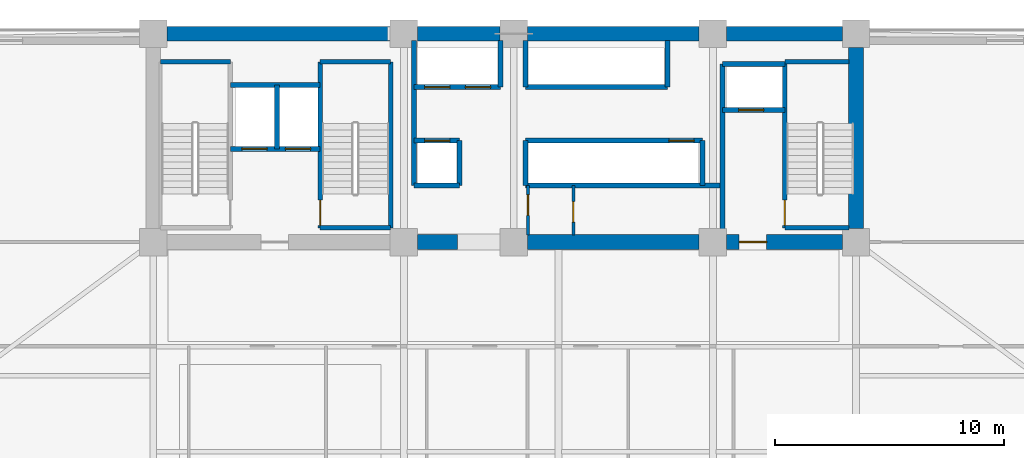
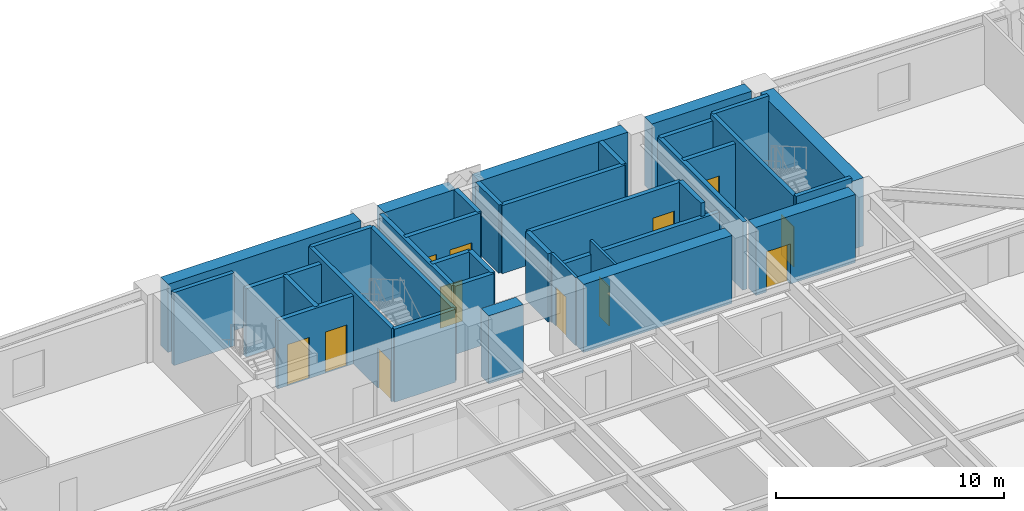
# One storey, part 11 of 18: 37 walls, 12 doors, 12 openings.
"""IFC4 building model written with IfcOpenShell, lengths in metres."""

from ifc_helpers import new_model, si_unit, direction, frame, frame_2d, origin, place, context, subcontext, project, spatial, rectangle, extrude, source, transform, mapped, material, layer, layer_set, type_object, element, fill, save


model = new_model("IFC4")

# Units and contexts
model_context = context("Model", 3, precision=1e-05, world=origin(), true_north=direction((0.0, 1.0)))
body_context = subcontext(model_context, "Body", "Model", "MODEL_VIEW")
ifc_project = project(units=[si_unit("LENGTHUNIT", "METRE"), si_unit("AREAUNIT", "SQUARE_METRE"), si_unit("VOLUMEUNIT", "CUBIC_METRE"), si_unit("PLANEANGLEUNIT", "RADIAN"), si_unit("MASSUNIT", "GRAM", prefix="KILO")], contexts=[model_context])

# Site, building, storey
site_placement = place(None, origin())
site = spatial("IfcSite", under=ifc_project, at=site_placement, CompositionType="ELEMENT")
building_placement = place(site_placement, origin())
building = spatial("IfcBuilding", under=site, at=building_placement, Name="Giltprow Tower", CompositionType="ELEMENT")
storey_placement = place(building_placement, frame((0.0, 0.0, 68.89990234375)))
storey = spatial("IfcBuildingStorey", under=building, at=storey_placement, Name="L17", CompositionType="ELEMENT", Elevation=68.89990234375)

# Wall, openings, doors
ifc_material_1 = material(Name="Concrete C40", Category="concrete")
ifc_layer_1 = layer(ifc_material_1, 0.219970703125, Name="Concrete C40")
ifc_layer_set_1 = layer_set([ifc_layer_1], Name="Concrete C40")
wall_type_1 = type_object("IfcWallType", Name="IW-SHAFT-220", PredefinedType="SOLIDWALL", material=ifc_layer_set_1)
wall_1_placement = place(storey_placement, frame((23.219970703125, 41.52001953125, 0.0), z_axis=(0.0, 0.0, 1.0), x_axis=(1.0, 0.0, 0.0)))
wall_1 = element("IfcWall", 1, at=wall_1_placement, inside=storey, type_object=wall_type_1, Name="L17 FFL1 and Service Lift Front Wall", PredefinedType="SOLIDWALL", context=body_context, shape_type="SweptSolid", body=[
    extrude(rectangle(XDim=3.919921875, YDim=0.219970703125, at=frame_2d((1.9599609375, 0.0))), origin(), (0.0, 0.0, 1.0), 3.64013671875),
])
opening_1_placement = place(wall_1_placement, frame((0.5, 0.0, 0.0)))
opening_1 = element("IfcOpeningElement", 2, at=opening_1_placement, cuts=wall_1, Name="Opening LD-11", PredefinedType="OPENING", context=body_context, shape_type="SweptSolid", body=[
    extrude(rectangle(XDim=1.10009765625, YDim=2.199951171875, at=frame_2d((0.550048828125, 1.10009765625))), frame((0.0, 0.119873046875, 0.0), z_axis=(0.0, -1.0, 0.0), x_axis=(1.0, 0.0, 0.0)), (0.0, 0.0, 1.0), 0.239990234375),
])
opening_2_placement = place(wall_1_placement, frame((2.39990234375, 0.0, 0.0)))
opening_2 = element("IfcOpeningElement", 3, at=opening_2_placement, cuts=wall_1, Name="Opening LD-11", PredefinedType="OPENING", context=body_context, shape_type="SweptSolid", body=[
    extrude(rectangle(XDim=1.10009765625, YDim=2.199951171875, at=frame_2d((0.550048828125, 1.10009765625))), frame((0.0, 0.119873046875, 0.0), z_axis=(0.0, -1.0, 0.0), x_axis=(1.0, 0.0, 0.0)), (0.0, 0.0, 1.0), 0.239990234375),
])
ifc_material_2 = material(Name="Stainless steel", Category="steel")
door_type_1 = type_object("IfcDoorType", Name="DR-LIFT-LD1100", OperationType="SLIDING_TO_LEFT", PredefinedType="DOOR", material=ifc_material_2)
shared_shape_1 = source(origin(), body_context, "Body", "SweptSolid", [
    extrude(rectangle(XDim=1.10009765625, YDim=2.199951171875, at=frame_2d((0.550048828125, 1.10009765625))), frame((0.0, 0.02490234375, 0.0), z_axis=(0.0, -1.0, 0.0), x_axis=(1.0, 0.0, 0.0)), (0.0, 0.0, 1.0), 0.050048828125),
])
door_1_placement = place(opening_1_placement, origin())
door_1 = element("IfcDoor", 4, at=door_1_placement, inside=storey, type_object=door_type_1, Name="L17 FFL1 Landing Door", OperationType="SLIDING_TO_LEFT", OverallHeight=2.199951171875, OverallWidth=1.10009765625, PredefinedType="DOOR", context=body_context, shape_type="MappedRepresentation", body=[
    mapped(shared_shape_1, transform((0.0, 0.0, 0.0), x_axis=(1.0, 0.0, 0.0), y_axis=(0.0, 1.0, 0.0), z_axis=(0.0, 0.0, 1.0), scale=1.0)),
])
fill(opening_1, door_1)
door_2_placement = place(opening_2_placement, origin())
door_2 = element("IfcDoor", 5, at=door_2_placement, inside=storey, type_object=door_type_1, Name="L17 SVL1 Landing Door", OperationType="SLIDING_TO_LEFT", OverallHeight=2.199951171875, OverallWidth=1.10009765625, PredefinedType="DOOR", context=body_context, shape_type="MappedRepresentation", body=[
    mapped(shared_shape_1, transform((0.0, 0.0, 0.0), x_axis=(1.0, 0.0, 0.0), y_axis=(0.0, 1.0, 0.0), z_axis=(0.0, 0.0, 1.0), scale=1.0)),
])
fill(opening_2, door_2)

# Walls
wall_2_placement = place(storey_placement, frame((25.260009765625, 41.52001953125, 0.0), z_axis=(0.0, 0.0, 1.0), x_axis=(0.0, 1.0, 0.0)))
element("IfcWall", 6, at=wall_2_placement, inside=storey, type_object=wall_type_1, Name="L17 FFL1-SVL1 Shaft Divider", PredefinedType="SOLIDWALL", context=body_context, shape_type="SweptSolid", body=[
    extrude(rectangle(XDim=2.800048828125, YDim=0.219970703125, at=frame_2d((1.39990234375, 0.0))), origin(), (0.0, 0.0, 1.0), 3.64013671875),
])
wall_3_placement = place(storey_placement, frame((23.219970703125, 44.320068359375, 0.0), z_axis=(0.0, 0.0, 1.0), x_axis=(1.0, 0.0, 0.0)))
element("IfcWall", 7, at=wall_3_placement, inside=storey, type_object=wall_type_1, Name="L17 FFL1-SVL1 Back Shaft Wall", PredefinedType="SOLIDWALL", context=body_context, shape_type="SweptSolid", body=[
    extrude(rectangle(XDim=3.919921875, YDim=0.219970703125, at=frame_2d((1.9599609375, 0.0))), origin(), (0.0, 0.0, 1.0), 3.64013671875),
])

# Wall, opening, door
wall_4_placement = place(storey_placement, frame((44.719970703125, 43.219970703125, 0.0), z_axis=(0.0, 0.0, 1.0), x_axis=(1.0, 0.0, 0.0)))
wall_4 = element("IfcWall", 8, at=wall_4_placement, inside=storey, type_object=wall_type_1, Name="L17 FFL2 Front Shaft Wall", PredefinedType="SOLIDWALL", context=body_context, shape_type="SweptSolid", body=[
    extrude(rectangle(XDim=2.719970703125, YDim=0.219970703125, at=frame_2d((1.35986328125, 0.0))), origin(), (0.0, 0.0, 1.0), 3.64013671875),
])
opening_3_placement = place(wall_4_placement, frame((0.699951171875, 0.0, 0.0)))
opening_3 = element("IfcOpeningElement", 9, at=opening_3_placement, cuts=wall_4, Name="Opening LD-11", PredefinedType="OPENING", context=body_context, shape_type="SweptSolid", body=[
    extrude(rectangle(XDim=1.10009765625, YDim=2.199951171875, at=frame_2d((0.550048828125, 1.10009765625))), frame((0.0, 0.119873046875, 0.0), z_axis=(0.0, -1.0, 0.0), x_axis=(1.0, 0.0, 0.0)), (0.0, 0.0, 1.0), 0.239990234375),
])
door_3_placement = place(opening_3_placement, origin())
door_3 = element("IfcDoor", 10, at=door_3_placement, inside=storey, type_object=door_type_1, Name="L17 FFL2 Landing Door", OperationType="SLIDING_TO_LEFT", OverallHeight=2.199951171875, OverallWidth=1.10009765625, PredefinedType="DOOR", context=body_context, shape_type="MappedRepresentation", body=[
    mapped(shared_shape_1, transform((0.0, 0.0, 0.0), x_axis=(1.0, 0.0, 0.0), y_axis=(0.0, 1.0, 0.0), z_axis=(0.0, 0.0, 1.0), scale=1.0)),
])
fill(opening_3, door_3)

# Walls
wall_5_placement = place(storey_placement, frame((44.719970703125, 45.219970703125, 0.0), z_axis=(0.0, 0.0, 1.0), x_axis=(1.0, 0.0, 0.0)))
element("IfcWall", 11, at=wall_5_placement, inside=storey, type_object=wall_type_1, Name="L17 FFL2 Back Shaft Wall", PredefinedType="SOLIDWALL", context=body_context, shape_type="SweptSolid", body=[
    extrude(rectangle(XDim=2.719970703125, YDim=0.219970703125, at=frame_2d((1.35986328125, 0.0))), origin(), (0.0, 0.0, 1.0), 3.64013671875),
])
wall_6_placement = place(storey_placement, frame((44.719970703125, 37.7548828125, 0.0), z_axis=(0.0, 0.0, 1.0), x_axis=(0.0, 1.0, 0.0)))
element("IfcWall", 12, at=wall_6_placement, inside=storey, type_object=wall_type_1, Name="L17 East Firefighting Lobby West Wall", PredefinedType="SOLIDWALL", context=body_context, shape_type="SweptSolid", body=[
    extrude(rectangle(XDim=7.465087890625, YDim=0.219970703125, at=frame_2d((3.732421875, 0.0))), origin(), (0.0, 0.0, 1.0), 3.64013671875),
])

# Wall, openings, doors
wall_7_placement = place(storey_placement, frame((31.25, 44.219970703125, 0.0), z_axis=(0.0, 0.0, 1.0), x_axis=(1.0, 0.0, 0.0)))
wall_7 = element("IfcWall", 13, at=wall_7_placement, inside=storey, type_object=wall_type_1, Name="L17 North West Lift Shaft Front Wall", PredefinedType="SOLIDWALL", context=body_context, shape_type="SweptSolid", body=[
    extrude(rectangle(XDim=3.77001953125, YDim=0.219970703125, at=frame_2d((1.885009765625, 0.0))), origin(), (0.0, 0.0, 1.0), 3.64013671875),
])
opening_4_placement = place(wall_7_placement, frame((0.4599609375, 0.0, 0.0)))
opening_4 = element("IfcOpeningElement", 14, at=opening_4_placement, cuts=wall_7, Name="Opening LD-11", PredefinedType="OPENING", context=body_context, shape_type="SweptSolid", body=[
    extrude(rectangle(XDim=1.10009765625, YDim=2.199951171875, at=frame_2d((0.550048828125, 1.10009765625))), frame((0.0, 0.119873046875, 0.0), z_axis=(0.0, -1.0, 0.0), x_axis=(1.0, 0.0, 0.0)), (0.0, 0.0, 1.0), 0.239990234375),
])
opening_5_placement = place(wall_7_placement, frame((2.239990234375, 0.0, 0.0)))
opening_5 = element("IfcOpeningElement", 15, at=opening_5_placement, cuts=wall_7, Name="Opening LD-11", PredefinedType="OPENING", context=body_context, shape_type="SweptSolid", body=[
    extrude(rectangle(XDim=1.10009765625, YDim=2.199951171875, at=frame_2d((0.550048828125, 1.10009765625))), frame((0.0, 0.119873046875, 0.0), z_axis=(0.0, -1.0, 0.0), x_axis=(1.0, 0.0, 0.0)), (0.0, 0.0, 1.0), 0.239990234375),
])
door_4_placement = place(opening_4_placement, origin())
door_4 = element("IfcDoor", 16, at=door_4_placement, inside=storey, type_object=door_type_1, Name="L17 PL-L1 Landing Door", OperationType="SLIDING_TO_LEFT", OverallHeight=2.199951171875, OverallWidth=1.10009765625, PredefinedType="DOOR", context=body_context, shape_type="MappedRepresentation", body=[
    mapped(shared_shape_1, transform((0.0, 0.0, 0.0), x_axis=(1.0, 0.0, 0.0), y_axis=(0.0, 1.0, 0.0), z_axis=(0.0, 0.0, 1.0), scale=1.0)),
])
fill(opening_4, door_4)
door_5_placement = place(opening_5_placement, origin())
door_5 = element("IfcDoor", 17, at=door_5_placement, inside=storey, type_object=door_type_1, Name="L17 PL-L2 Landing Door", OperationType="SLIDING_TO_LEFT", OverallHeight=2.199951171875, OverallWidth=1.10009765625, PredefinedType="DOOR", context=body_context, shape_type="MappedRepresentation", body=[
    mapped(shared_shape_1, transform((0.0, 0.0, 0.0), x_axis=(1.0, 0.0, 0.0), y_axis=(0.0, 1.0, 0.0), z_axis=(0.0, 0.0, 1.0), scale=1.0)),
])
fill(opening_5, door_5)

# Walls
wall_8_placement = place(storey_placement, frame((36.1201171875, 44.219970703125, 0.0), z_axis=(0.0, 0.0, 1.0), x_axis=(1.0, 0.0, 0.0)))
element("IfcWall", 18, at=wall_8_placement, inside=storey, type_object=wall_type_1, Name="L17 North East Lift Shaft Front Wall", PredefinedType="SOLIDWALL", context=body_context, shape_type="SweptSolid", body=[
    extrude(rectangle(XDim=6.199951171875, YDim=0.219970703125, at=frame_2d((3.10009765625, 0.0))), origin(), (0.0, 0.0, 1.0), 3.64013671875),
])
for number, where, z_axis, x_axis, name in (
    (19, (35.02001953125, 44.219970703125, 0.0), (0.0, 0.0, 1.0), (0.0, 1.0, 0.0), "L17 North West Lift Shaft East Closure"),
    (20, (36.1201171875, 44.219970703125, 0.0), (0.0, 0.0, 1.0), (0.0, 1.0, 0.0), "L17 North East Lift Shaft West Closure"),
    (21, (42.320068359375, 44.219970703125, 0.0), (0.0, 0.0, 1.0), (0.0, 1.0, 0.0), "L17 North East Lift Shaft East Closure"),
):
    element("IfcWall", number, at=place(storey_placement, frame(where, z_axis=z_axis, x_axis=x_axis)), inside=storey, type_object=wall_type_1, Name=name, PredefinedType="SOLIDWALL", context=body_context, shape_type="SweptSolid", body=[
        extrude(rectangle(XDim=2.025146484375, YDim=0.219970703125, at=frame_2d((1.0126953125, 0.0))), origin(), (0.0, 0.0, 1.0), 3.64013671875),
    ])

# Wall, opening, door
wall_9_placement = place(storey_placement, frame((31.25, 41.8798828125, 0.0), z_axis=(0.0, 0.0, 1.0), x_axis=(1.0, 0.0, 0.0)))
wall_9 = element("IfcWall", 22, at=wall_9_placement, inside=storey, type_object=wall_type_1, Name="L17 South West Lift Shaft Front Wall", PredefinedType="SOLIDWALL", context=body_context, shape_type="SweptSolid", body=[
    extrude(rectangle(XDim=1.969970703125, YDim=0.219970703125, at=frame_2d((0.98486328125, 0.0))), origin(), (0.0, 0.0, 1.0), 3.64013671875),
])
opening_6_placement = place(wall_9_placement, frame((0.4599609375, 0.0, 0.0)))
opening_6 = element("IfcOpeningElement", 23, at=opening_6_placement, cuts=wall_9, Name="Opening LD-11", PredefinedType="OPENING", context=body_context, shape_type="SweptSolid", body=[
    extrude(rectangle(XDim=1.10009765625, YDim=2.199951171875, at=frame_2d((0.550048828125, 1.10009765625))), frame((0.0, 0.119873046875, 0.0), z_axis=(0.0, -1.0, 0.0), x_axis=(1.0, 0.0, 0.0)), (0.0, 0.0, 1.0), 0.239990234375),
])
door_6_placement = place(opening_6_placement, origin())
door_6 = element("IfcDoor", 24, at=door_6_placement, inside=storey, type_object=door_type_1, Name="L17 PL-L3 Landing Door", OperationType="SLIDING_TO_LEFT", OverallHeight=2.199951171875, OverallWidth=1.10009765625, PredefinedType="DOOR", context=body_context, shape_type="MappedRepresentation", body=[
    mapped(shared_shape_1, transform((0.0, 0.0, 0.0), x_axis=(1.0, 0.0, 0.0), y_axis=(0.0, 1.0, 0.0), z_axis=(0.0, 0.0, 1.0), scale=1.0)),
])
fill(opening_6, door_6)

wall_10_placement = place(storey_placement, frame((36.1201171875, 41.8798828125, 0.0), z_axis=(0.0, 0.0, 1.0), x_axis=(1.0, 0.0, 0.0)))
wall_10 = element("IfcWall", 25, at=wall_10_placement, inside=storey, type_object=wall_type_1, Name="L17 South East Lift Shaft Front Wall", PredefinedType="SOLIDWALL", context=body_context, shape_type="SweptSolid", body=[
    extrude(rectangle(XDim=7.72998046875, YDim=0.219970703125, at=frame_2d((3.864990234375, 0.0))), origin(), (0.0, 0.0, 1.0), 3.64013671875),
])
opening_7_placement = place(wall_10_placement, frame((6.260009765625, 0.0, 0.0)))
opening_7 = element("IfcOpeningElement", 26, at=opening_7_placement, cuts=wall_10, Name="Opening LD-11", PredefinedType="OPENING", context=body_context, shape_type="SweptSolid", body=[
    extrude(rectangle(XDim=1.10009765625, YDim=2.199951171875, at=frame_2d((0.550048828125, 1.10009765625))), frame((0.0, 0.119873046875, 0.0), z_axis=(0.0, -1.0, 0.0), x_axis=(1.0, 0.0, 0.0)), (0.0, 0.0, 1.0), 0.239990234375),
])
door_7_placement = place(opening_7_placement, origin())
door_7 = element("IfcDoor", 27, at=door_7_placement, inside=storey, type_object=door_type_1, Name="L17 PL-L4 Landing Door", OperationType="SLIDING_TO_LEFT", OverallHeight=2.199951171875, OverallWidth=1.10009765625, PredefinedType="DOOR", context=body_context, shape_type="MappedRepresentation", body=[
    mapped(shared_shape_1, transform((0.0, 0.0, 0.0), x_axis=(1.0, 0.0, 0.0), y_axis=(0.0, 1.0, 0.0), z_axis=(0.0, 0.0, 1.0), scale=1.0)),
])
fill(opening_7, door_7)

# Walls
wall_11_placement = place(storey_placement, frame((31.25, 39.919921875, 0.0), z_axis=(0.0, 0.0, 1.0), x_axis=(1.0, 0.0, 0.0)))
element("IfcWall", 28, at=wall_11_placement, inside=storey, type_object=wall_type_1, Name="L17 Low-Rise South Lift Back Wall", PredefinedType="SOLIDWALL", context=body_context, shape_type="SweptSolid", body=[
    extrude(rectangle(XDim=1.969970703125, YDim=0.219970703125, at=frame_2d((0.98486328125, 0.0))), origin(), (0.0, 0.0, 1.0), 3.64013671875),
])
wall_12_placement = place(storey_placement, frame((33.219970703125, 39.919921875, 0.0), z_axis=(0.0, 0.0, 1.0), x_axis=(0.0, 1.0, 0.0)))
element("IfcWall", 29, at=wall_12_placement, inside=storey, type_object=wall_type_1, Name="L17 Low-Rise South Lift East Closure", PredefinedType="SOLIDWALL", context=body_context, shape_type="SweptSolid", body=[
    extrude(rectangle(XDim=1.9599609375, YDim=0.219970703125, at=frame_2d((0.97998046875, 0.0))), origin(), (0.0, 0.0, 1.0), 3.64013671875),
])
wall_13_placement = place(storey_placement, frame((36.1201171875, 39.919921875, 0.0), z_axis=(0.0, 0.0, 1.0), x_axis=(1.0, 0.0, 0.0)))
element("IfcWall", 30, at=wall_13_placement, inside=storey, type_object=wall_type_1, Name="L17 Express South Shaft Back Wall", PredefinedType="SOLIDWALL", context=body_context, shape_type="SweptSolid", body=[
    extrude(rectangle(XDim=8.599853515625, YDim=0.219970703125, at=frame_2d((4.2998046875, 0.0))), origin(), (0.0, 0.0, 1.0), 2.925048828125),
])
wall_14_placement = place(storey_placement, frame((36.1201171875, 39.919921875, 0.0), z_axis=(0.0, 0.0, 1.0), x_axis=(0.0, 1.0, 0.0)))
element("IfcWall", 31, at=wall_14_placement, inside=storey, type_object=wall_type_1, Name="L17 Express South Shaft West Closure", PredefinedType="SOLIDWALL", context=body_context, shape_type="SweptSolid", body=[
    extrude(rectangle(XDim=1.9599609375, YDim=0.219970703125, at=frame_2d((0.97998046875, 0.0))), origin(), (0.0, 0.0, 1.0), 3.64013671875),
])
wall_15_placement = place(storey_placement, frame((31.25, 39.919921875, 0.0), z_axis=(0.0, 0.0, 1.0), x_axis=(0.0, 1.0, 0.0)))
element("IfcWall", 32, at=wall_15_placement, inside=storey, type_object=wall_type_1, Name="L17 Lift Bank West Closure", PredefinedType="SOLIDWALL", context=body_context, shape_type="SweptSolid", body=[
    extrude(rectangle(XDim=6.3251953125, YDim=0.219970703125, at=frame_2d((3.16259765625, 0.0))), origin(), (0.0, 0.0, 1.0), 3.64013671875),
])
wall_16_placement = place(storey_placement, frame((43.85009765625, 39.919921875, 0.0), z_axis=(0.0, 0.0, 1.0), x_axis=(0.0, 1.0, 0.0)))
element("IfcWall", 33, at=wall_16_placement, inside=storey, type_object=wall_type_1, Name="L17 Lift Bank South-East Closure", PredefinedType="SOLIDWALL", context=body_context, shape_type="SweptSolid", body=[
    extrude(rectangle(XDim=1.9599609375, YDim=0.219970703125, at=frame_2d((0.97998046875, 0.0))), origin(), (0.0, 0.0, 1.0), 3.64013671875),
])
ifc_layer_2 = layer(ifc_material_1, 0.199951171875, Name="Concrete C40")
ifc_layer_set_2 = layer_set([ifc_layer_2], Name="Concrete C40")
wall_type_2 = type_object("IfcWallType", Name="IW-STAIR-200", PredefinedType="SOLIDWALL", material=ifc_layer_set_2)
wall_17_placement = place(storey_placement, frame((20.169921875, 45.320068359375, 0.0), z_axis=(0.0, 0.0, 1.0), x_axis=(1.0, 0.0, 0.0)))
element("IfcWall", 34, at=wall_17_placement, inside=storey, type_object=wall_type_2, Name="L17 Stair ST-1 North Bearing Wall", PredefinedType="SOLIDWALL", context=body_context, shape_type="SweptSolid", body=[
    extrude(rectangle(XDim=3.050048828125, YDim=0.199951171875, at=frame_2d((1.52490234375, 0.0))), origin(), (0.0, 0.0, 1.0), 3.900146484375),
])

# Wall, opening, door
wall_18_placement = place(storey_placement, frame((27.139892578125, 38.070068359375, 0.0), z_axis=(0.0, 0.0, 1.0), x_axis=(0.0, 1.0, 0.0)))
wall_18 = element("IfcWall", 35, at=wall_18_placement, inside=storey, type_object=wall_type_2, Name="L17 Stair ST-2 West Bearing Wall", PredefinedType="SOLIDWALL", context=body_context, shape_type="SweptSolid", body=[
    extrude(rectangle(XDim=7.25, YDim=0.199951171875, at=frame_2d((3.625, 0.0))), origin(), (0.0, 0.0, 1.0), 3.900146484375),
])
opening_8_placement = place(wall_18_placement, frame((0.110107421875, 0.0, 0.0)))
opening_8 = element("IfcOpeningElement", 36, at=opening_8_placement, cuts=wall_18, Name="Opening ID33", PredefinedType="OPENING", context=body_context, shape_type="SweptSolid", body=[
    extrude(rectangle(XDim=1.10009765625, YDim=2.14990234375, at=frame_2d((0.550048828125, 1.074951171875))), frame((0.0, 0.10986328125, 0.0), z_axis=(0.0, -1.0, 0.0), x_axis=(1.0, 0.0, 0.0)), (0.0, 0.0, 1.0), 0.219970703125),
])
ifc_material_3 = material(Name="Steel fire leaf", Category="steel")
door_type_2 = type_object("IfcDoorType", Name="DR-STAIR-1100", OperationType="SINGLE_SWING_LEFT", PredefinedType="DOOR", material=ifc_material_3)
shared_shape_2 = source(origin(), body_context, "Body", "SweptSolid", [
    extrude(rectangle(XDim=1.10009765625, YDim=2.14990234375, at=frame_2d((0.550048828125, 1.074951171875))), frame((0.0, 0.02490234375, 0.0), z_axis=(0.0, -1.0, 0.0), x_axis=(1.0, 0.0, 0.0)), (0.0, 0.0, 1.0), 0.050048828125),
])
door_8_placement = place(opening_8_placement, origin())
door_8 = element("IfcDoor", 37, at=door_8_placement, inside=storey, type_object=door_type_2, Name="L17 Stair ST-2 Fire Door", OperationType="SINGLE_SWING_LEFT", OverallHeight=2.14990234375, OverallWidth=1.10009765625, PredefinedType="DOOR", context=body_context, shape_type="MappedRepresentation", body=[
    mapped(shared_shape_2, transform((0.0, 0.0, 0.0), x_axis=(1.0, 0.0, 0.0), y_axis=(0.0, 1.0, 0.0), z_axis=(0.0, 0.0, 1.0), scale=1.0)),
])
fill(opening_8, door_8)

# Walls
wall_19_placement = place(storey_placement, frame((30.219970703125, 38.070068359375, 0.0), z_axis=(0.0, 0.0, 1.0), x_axis=(0.0, 1.0, 0.0)))
element("IfcWall", 38, at=wall_19_placement, inside=storey, type_object=wall_type_2, Name="L17 Stair ST-2 East Bearing Wall", PredefinedType="SOLIDWALL", context=body_context, shape_type="SweptSolid", body=[
    extrude(rectangle(XDim=7.25, YDim=0.199951171875, at=frame_2d((3.625, 0.0))), origin(), (0.0, 0.0, 1.0), 3.900146484375),
])
for number, where, z_axis, x_axis, name in (
    (39, (27.139892578125, 45.320068359375, 0.0), (0.0, 0.0, 1.0), (1.0, 0.0, 0.0), "L17 Stair ST-2 North Bearing Wall"),
    (40, (27.139892578125, 38.070068359375, 0.0), (0.0, 0.0, 1.0), (1.0, 0.0, 0.0), "L17 Stair ST-2 South Bearing Wall"),
):
    element("IfcWall", number, at=place(storey_placement, frame(where, z_axis=z_axis, x_axis=x_axis)), inside=storey, type_object=wall_type_2, Name=name, PredefinedType="SOLIDWALL", context=body_context, shape_type="SweptSolid", body=[
        extrude(rectangle(XDim=3.080078125, YDim=0.199951171875, at=frame_2d((1.5400390625, 0.0))), origin(), (0.0, 0.0, 1.0), 3.900146484375),
    ])

# Wall, opening, door
wall_20_placement = place(storey_placement, frame((47.43994140625, 38.070068359375, 0.0), z_axis=(0.0, 0.0, 1.0), x_axis=(0.0, 1.0, 0.0)))
wall_20 = element("IfcWall", 41, at=wall_20_placement, inside=storey, type_object=wall_type_2, Name="L17 Stair ST-3 West Bearing Wall", PredefinedType="SOLIDWALL", context=body_context, shape_type="SweptSolid", body=[
    extrude(rectangle(XDim=7.25, YDim=0.199951171875, at=frame_2d((3.625, 0.0))), origin(), (0.0, 0.0, 1.0), 3.900146484375),
])
opening_9_placement = place(wall_20_placement, frame((0.110107421875, 0.0, 0.0)))
opening_9 = element("IfcOpeningElement", 42, at=opening_9_placement, cuts=wall_20, Name="Opening ID33", PredefinedType="OPENING", context=body_context, shape_type="SweptSolid", body=[
    extrude(rectangle(XDim=1.10009765625, YDim=2.14990234375, at=frame_2d((0.550048828125, 1.074951171875))), frame((0.0, 0.10986328125, 0.0), z_axis=(0.0, -1.0, 0.0), x_axis=(1.0, 0.0, 0.0)), (0.0, 0.0, 1.0), 0.219970703125),
])
door_9_placement = place(opening_9_placement, origin())
door_9 = element("IfcDoor", 43, at=door_9_placement, inside=storey, type_object=door_type_2, Name="L17 Stair ST-3 Fire Door", OperationType="SINGLE_SWING_RIGHT", OverallHeight=2.14990234375, OverallWidth=1.10009765625, PredefinedType="DOOR", context=body_context, shape_type="MappedRepresentation", body=[
    mapped(shared_shape_2, transform((0.0, 0.0, 0.0), x_axis=(1.0, 0.0, 0.0), y_axis=(0.0, 1.0, 0.0), z_axis=(0.0, 0.0, 1.0), scale=1.0)),
])
fill(opening_9, door_9)

# Walls
for number, where, z_axis, x_axis, name in (
    (44, (47.43994140625, 45.320068359375, 0.0), (0.0, 0.0, 1.0), (1.0, 0.0, 0.0), "L17 Stair ST-3 North Bearing Wall"),
    (45, (47.43994140625, 38.070068359375, 0.0), (0.0, 0.0, 1.0), (1.0, 0.0, 0.0), "L17 Stair ST-3 South Bearing Wall"),
):
    element("IfcWall", number, at=place(storey_placement, frame(where, z_axis=z_axis, x_axis=x_axis)), inside=storey, type_object=wall_type_2, Name=name, PredefinedType="SOLIDWALL", context=body_context, shape_type="SweptSolid", body=[
        extrude(rectangle(XDim=2.80517578125, YDim=0.199951171875, at=frame_2d((1.402587890625, 0.0))), origin(), (0.0, 0.0, 1.0), 3.900146484375),
    ])

# Wall, opening, door
ifc_material_4 = material(Name="Concrete C30", Category="concrete")
ifc_layer_3 = layer(ifc_material_4, 0.1298828125, Name="Concrete C30")
ifc_layer_set_3 = layer_set([ifc_layer_3], Name="Concrete C30")
wall_type_3 = type_object("IfcWallType", Name="IW-WET-130", PredefinedType="PARTITIONING", material=ifc_layer_set_3)
wall_21_placement = place(storey_placement, frame((36.219970703125, 37.7548828125, 0.0), z_axis=(0.0, 0.0, 1.0), x_axis=(0.0, 1.0, 0.0)))
wall_21 = element("IfcWall", 46, at=wall_21_placement, inside=storey, type_object=wall_type_3, Name="L17 Core Suite West Wall", PredefinedType="PARTITIONING", context=body_context, shape_type="SweptSolid", body=[
    extrude(rectangle(XDim=2.1650390625, YDim=0.1298828125, at=frame_2d((1.08251953125, 0.0))), origin(), (0.0, 0.0, 1.0), 3.64013671875),
])
opening_10_placement = place(wall_21_placement, frame((0.85498046875, 0.0, 0.0)))
opening_10 = element("IfcOpeningElement", 47, at=opening_10_placement, cuts=wall_21, Name="Opening ID35", PredefinedType="OPENING", context=body_context, shape_type="SweptSolid", body=[
    extrude(rectangle(XDim=0.89990234375, YDim=2.10009765625, at=frame_2d((0.449951171875, 1.050048828125))), frame((0.0, 0.074951171875, 0.0), z_axis=(0.0, -1.0, 0.0), x_axis=(1.0, 0.0, 0.0)), (0.0, 0.0, 1.0), 0.14990234375),
])
door_type_3 = type_object("IfcDoorType", Name="DR-SHAFT-900", OperationType="SINGLE_SWING_LEFT", PredefinedType="DOOR", material=ifc_material_3)
shared_shape_3 = source(origin(), body_context, "Body", "SweptSolid", [
    extrude(rectangle(XDim=0.89990234375, YDim=2.10009765625, at=frame_2d((0.449951171875, 1.050048828125))), frame((0.0, 0.02490234375, 0.0), z_axis=(0.0, -1.0, 0.0), x_axis=(1.0, 0.0, 0.0)), (0.0, 0.0, 1.0), 0.050048828125),
])
door_10_placement = place(opening_10_placement, origin())
door_10 = element("IfcDoor", 48, at=door_10_placement, inside=storey, type_object=door_type_3, Name="L17 Core Accessible WC Door", OperationType="SINGLE_SWING_RIGHT", OverallHeight=2.10009765625, OverallWidth=0.89990234375, PredefinedType="DOOR", context=body_context, shape_type="MappedRepresentation", body=[
    mapped(shared_shape_3, transform((0.0, 0.0, 0.0), x_axis=(1.0, 0.0, 0.0), y_axis=(0.0, 1.0, 0.0), z_axis=(0.0, 0.0, 1.0), scale=1.0)),
])
fill(opening_10, door_10)

wall_22_placement = place(storey_placement, frame((38.199951171875, 37.7548828125, 0.0), z_axis=(0.0, 0.0, 1.0), x_axis=(0.0, 1.0, 0.0)))
wall_22 = element("IfcWall", 49, at=wall_22_placement, inside=storey, type_object=wall_type_3, Name="L17 Core Suite Asymmetric Wall", PredefinedType="PARTITIONING", context=body_context, shape_type="SweptSolid", body=[
    extrude(rectangle(XDim=2.1650390625, YDim=0.1298828125, at=frame_2d((1.08251953125, 0.0))), origin(), (0.0, 0.0, 1.0), 3.64013671875),
])
opening_11_placement = place(wall_22_placement, frame((0.56494140625, 0.0, 0.0)))
opening_11 = element("IfcOpeningElement", 50, at=opening_11_placement, cuts=wall_22, Name="Opening ID35", PredefinedType="OPENING", context=body_context, shape_type="SweptSolid", body=[
    extrude(rectangle(XDim=0.89990234375, YDim=2.10009765625, at=frame_2d((0.449951171875, 1.050048828125))), frame((0.0, 0.074951171875, 0.0), z_axis=(0.0, -1.0, 0.0), x_axis=(1.0, 0.0, 0.0)), (0.0, 0.0, 1.0), 0.14990234375),
])
door_11_placement = place(opening_11_placement, origin())
door_11 = element("IfcDoor", 51, at=door_11_placement, inside=storey, type_object=door_type_3, Name="L17 Core Mail Room Door", OperationType="SINGLE_SWING_RIGHT", OverallHeight=2.10009765625, OverallWidth=0.89990234375, PredefinedType="DOOR", context=body_context, shape_type="MappedRepresentation", body=[
    mapped(shared_shape_3, transform((0.0, 0.0, 0.0), x_axis=(1.0, 0.0, 0.0), y_axis=(0.0, 1.0, 0.0), z_axis=(0.0, 0.0, 1.0), scale=1.0)),
])
fill(opening_11, door_11)

# Walls
ifc_material_5 = material(Name="Concrete C60", Category="concrete")
ifc_layer_4 = layer(ifc_material_5, 0.64990234375, Name="Concrete C60")
ifc_layer_set_4 = layer_set([ifc_layer_4], Name="Concrete C60")
wall_type_4 = type_object("IfcWallType", Name="SW-EXT-650-C60", PredefinedType="SHEAR", material=ifc_layer_set_4)
wall_23_placement = place(storey_placement, frame((20.449951171875, 46.550048828125, 0.0), z_axis=(0.0, 0.0, 1.0), x_axis=(1.0, 0.0, 0.0)))
element("IfcWall", 52, at=wall_23_placement, inside=storey, type_object=wall_type_4, Name="L17 North Rear Core Shear Wall 1", PredefinedType="SHEAR", context=body_context, shape_type="SweptSolid", body=[
    extrude(rectangle(XDim=9.75, YDim=0.64990234375, at=frame_2d((4.875, 0.0))), origin(), (0.0, 0.0, 1.0), 3.64013671875),
])
wall_24_placement = place(storey_placement, frame((31.39990234375, 46.550048828125, 0.0), z_axis=(0.0, 0.0, 1.0), x_axis=(1.0, 0.0, 0.0)))
element("IfcWall", 53, at=wall_24_placement, inside=storey, type_object=wall_type_4, Name="L17 North Rear Core Shear Wall 2", PredefinedType="SHEAR", context=body_context, shape_type="SweptSolid", body=[
    extrude(rectangle(XDim=3.60009765625, YDim=0.64990234375, at=frame_2d((1.800048828125, 0.0))), origin(), (0.0, 0.0, 1.0), 3.64013671875),
])
wall_25_placement = place(storey_placement, frame((36.199951171875, 46.550048828125, 0.0), z_axis=(0.0, 0.0, 1.0), x_axis=(1.0, 0.0, 0.0)))
element("IfcWall", 54, at=wall_25_placement, inside=storey, type_object=wall_type_4, Name="L17 North Rear Core Shear Wall 3", PredefinedType="SHEAR", context=body_context, shape_type="SweptSolid", body=[
    extrude(rectangle(XDim=7.5, YDim=0.64990234375, at=frame_2d((3.75, 0.0))), origin(), (0.0, 0.0, 1.0), 3.64013671875),
])
wall_26_placement = place(storey_placement, frame((44.89990234375, 46.550048828125, 0.0), z_axis=(0.0, 0.0, 1.0), x_axis=(1.0, 0.0, 0.0)))
element("IfcWall", 55, at=wall_26_placement, inside=storey, type_object=wall_type_4, Name="L17 North Rear Core Shear Wall 4", PredefinedType="SHEAR", context=body_context, shape_type="SweptSolid", body=[
    extrude(rectangle(XDim=5.050048828125, YDim=0.64990234375, at=frame_2d((2.52490234375, 0.0))), origin(), (0.0, 0.0, 1.0), 3.64013671875),
])
ifc_layer_5 = layer(ifc_material_5, 0.64990234375, Name="Concrete C60")
ifc_layer_set_5 = layer_set([ifc_layer_5], Name="Concrete C60")
wall_type_5 = type_object("IfcWallType", Name="SW-INT-650-C60", PredefinedType="SHEAR", material=ifc_layer_set_5)
wall_27_placement = place(storey_placement, frame((31.39990234375, 37.449951171875, 0.0), z_axis=(0.0, 0.0, 1.0), x_axis=(1.0, 0.0, 0.0)))
element("IfcWall", 56, at=wall_27_placement, inside=storey, type_object=wall_type_5, Name="L17 South Rear Core Shear Wall Mid-West", PredefinedType="SHEAR", context=body_context, shape_type="SweptSolid", body=[
    extrude(rectangle(XDim=1.75, YDim=0.64990234375, at=frame_2d((0.875, 0.0))), origin(), (0.0, 0.0, 1.0), 3.64013671875),
])
wall_28_placement = place(storey_placement, frame((36.199951171875, 37.449951171875, 0.0), z_axis=(0.0, 0.0, 1.0), x_axis=(1.0, 0.0, 0.0)))
element("IfcWall", 57, at=wall_28_placement, inside=storey, type_object=wall_type_5, Name="L17 South Rear Core Shear Wall Mid-East", PredefinedType="SHEAR", context=body_context, shape_type="SweptSolid", body=[
    extrude(rectangle(XDim=7.5, YDim=0.64990234375, at=frame_2d((3.75, 0.0))), origin(), (0.0, 0.0, 1.0), 3.64013671875),
])

# Wall, opening, door
wall_29_placement = place(storey_placement, frame((44.89990234375, 37.449951171875, 0.0), z_axis=(0.0, 0.0, 1.0), x_axis=(1.0, 0.0, 0.0)))
wall_29 = element("IfcWall", 58, at=wall_29_placement, inside=storey, type_object=wall_type_5, Name="L17 South Rear Core Shear Wall East", PredefinedType="SHEAR", context=body_context, shape_type="SweptSolid", body=[
    extrude(rectangle(XDim=5.050048828125, YDim=0.64990234375, at=frame_2d((2.52490234375, 0.0))), origin(), (0.0, 0.0, 1.0), 3.64013671875),
])
opening_12_placement = place(wall_29_placement, frame((0.550048828125, 0.0, 0.0)))
opening_12 = element("IfcOpeningElement", 59, at=opening_12_placement, cuts=wall_29, Name="Opening ID19", PredefinedType="OPENING", context=body_context, shape_type="SweptSolid", body=[
    extrude(rectangle(XDim=1.199951171875, YDim=2.14990234375, at=frame_2d((0.60009765625, 1.074951171875))), frame((0.0, 0.3349609375, 0.0), z_axis=(0.0, -1.0, 0.0), x_axis=(1.0, 0.0, 0.0)), (0.0, 0.0, 1.0), 0.669921875),
])
door_type_4 = type_object("IfcDoorType", Name="DR-FFLOBBY-1200", OperationType="SINGLE_SWING_RIGHT", PredefinedType="DOOR", material=ifc_material_3)
shared_shape_4 = source(origin(), body_context, "Body", "SweptSolid", [
    extrude(rectangle(XDim=1.199951171875, YDim=2.14990234375, at=frame_2d((0.60009765625, 1.074951171875))), frame((0.0, 0.02490234375, 0.0), z_axis=(0.0, -1.0, 0.0), x_axis=(1.0, 0.0, 0.0)), (0.0, 0.0, 1.0), 0.050048828125),
])
door_12_placement = place(opening_12_placement, origin())
door_12 = element("IfcDoor", 60, at=door_12_placement, inside=storey, type_object=door_type_4, Name="L17 East Firefighting Lobby Entry Door", OperationType="SINGLE_SWING_RIGHT", OverallHeight=2.14990234375, OverallWidth=1.199951171875, PredefinedType="DOOR", context=body_context, shape_type="MappedRepresentation", body=[
    mapped(shared_shape_4, transform((0.0, 0.0, 0.0), x_axis=(1.0, 0.0, 0.0), y_axis=(0.0, 1.0, 0.0), z_axis=(0.0, 0.0, 1.0), scale=1.0)),
])
fill(opening_12, door_12)

# Wall
wall_30_placement = place(storey_placement, frame((50.550048828125, 38.050048828125, 0.0), z_axis=(0.0, 0.0, 1.0), x_axis=(0.0, 1.0, 0.0)))
element("IfcWall", 61, at=wall_30_placement, inside=storey, type_object=wall_type_5, Name="L17 E Rear Core Shear Wall", PredefinedType="SHEAR", context=body_context, shape_type="SweptSolid", body=[
    extrude(rectangle(XDim=7.89990234375, YDim=0.64990234375, at=frame_2d((3.949951171875, 0.0))), origin(), (0.0, 0.0, 1.0), 3.64013671875),
])

save(model, "model.ifc")
